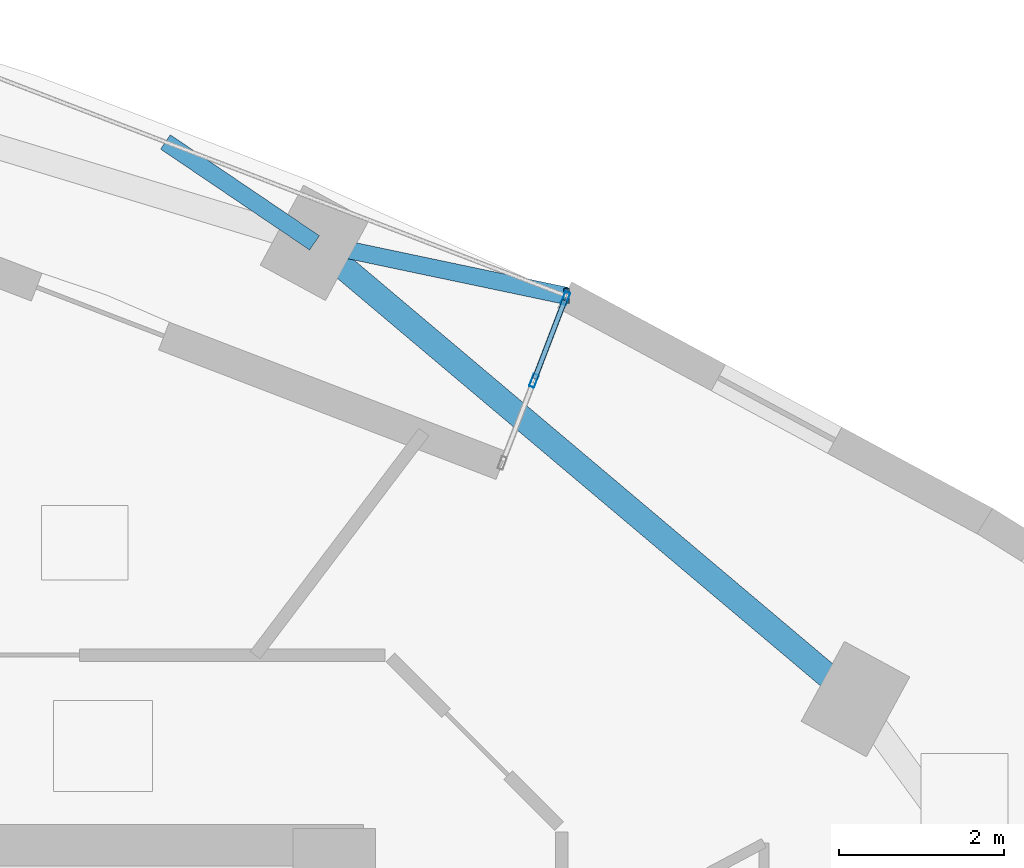
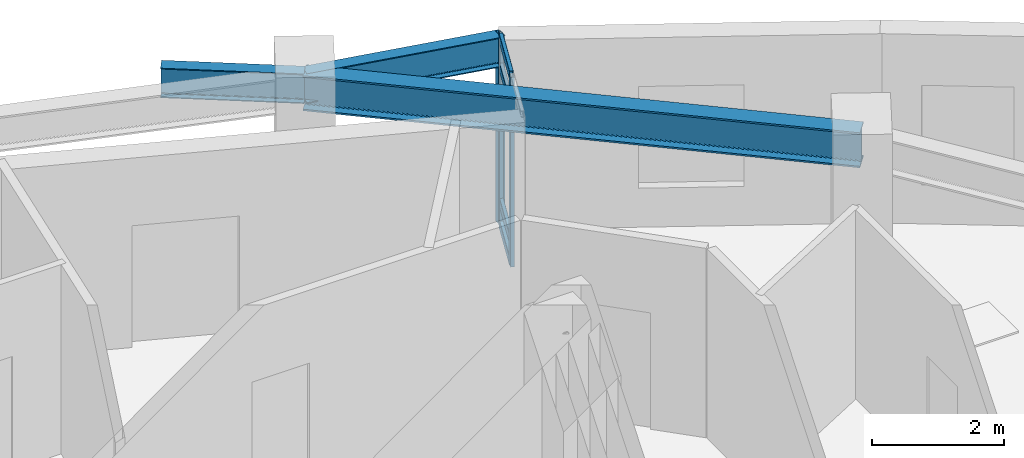
# One storey, part 3 of 12: 7 members, 3 beams, 1 element without a shape of its own.
"""IFC4 building model written with IfcOpenShell, lengths in metres."""

from ifc_helpers import new_model, si_unit, direction, frame, origin, origin_2d, place, context, subcontext, project, spatial, hollow_rectangle, i_section, extrude, material, layer, layer_set, material_profile, profile_set, type_object, element, aggregate, save


model = new_model("IFC4")

# Units and contexts
model_context = context("Model", 3, precision=1e-05, world=origin(), true_north=direction((0.0, 1.0)))
body_context = subcontext(model_context, "Body", "Model", "MODEL_VIEW")
ifc_project = project(units=[si_unit("LENGTHUNIT", "METRE"), si_unit("AREAUNIT", "SQUARE_METRE"), si_unit("VOLUMEUNIT", "CUBIC_METRE"), si_unit("PLANEANGLEUNIT", "RADIAN"), si_unit("MASSUNIT", "GRAM", prefix="KILO")], contexts=[model_context])

# Site, building, storey
site_placement = place(None, origin())
site = spatial("IfcSite", under=ifc_project, at=site_placement, CompositionType="ELEMENT")
building_placement = place(site_placement, origin())
building = spatial("IfcBuilding", under=site, at=building_placement, Name="Ndelora Gate Hotel", CompositionType="ELEMENT")
storey_placement = place(building_placement, frame((0.0, 0.0, 161.0)))
storey = spatial("IfcBuildingStorey", under=building, at=storey_placement, Name="L40", CompositionType="ELEMENT", Elevation=161.0)

# Beams
ifc_material_1 = material(Name="Steel S355", Category="steel")
ifc_material_profile_1 = material_profile(ifc_material_1, i_section(OverallWidth=0.2099609375, OverallDepth=0.550048828125, WebThickness=0.010986328125, FlangeThickness=0.01708984375, FilletRadius=0.02392578125, at=origin_2d()), Name="IPE 550")
ifc_profile_set_1 = profile_set([ifc_material_profile_1], Name="Steel S355")
beam_type_1 = type_object("IfcBeamType", Name="BM-RAD-550", PredefinedType="BEAM", material=ifc_profile_set_1)
beam_1_placement = place(storey_placement, frame((7.759033203125, 14.290283203125, 3.22509765625), z_axis=(0.978567234145, -0.20592758013, 0.0), x_axis=(0.20592758013, 0.978567234145, 0.0)))
element("IfcBeam", 1, at=beam_1_placement, inside=storey, type_object=beam_type_1, Name="L40 Sky-Garden Loggia Column Bracket 1", PredefinedType="BEAM", context=body_context, shape_type="SweptSolid", body=[
    extrude(i_section(OverallWidth=0.2099609375, OverallDepth=0.550048828125, WebThickness=0.010986328125, FlangeThickness=0.01708984375, FilletRadius=0.02392578125, at=origin_2d()), origin(), (0.0, 0.0, 1.0), 3.116943359375),
])
beam_2_placement = place(storey_placement, frame((7.759033203125, 14.290283203125, 3.22509765625), z_axis=(-0.828064662008, 0.560632602988, 0.0), x_axis=(-0.560632602988, -0.828064662008, 0.0)))
element("IfcBeam", 2, at=beam_2_placement, inside=storey, type_object=beam_type_1, Name="L40 Sky-Garden Loggia Column Bracket 2", PredefinedType="BEAM", context=body_context, shape_type="SweptSolid", body=[
    extrude(i_section(OverallWidth=0.2099609375, OverallDepth=0.550048828125, WebThickness=0.010986328125, FlangeThickness=0.01708984375, FilletRadius=0.02392578125, at=origin_2d()), origin(), (0.0, 0.0, 1.0), 2.17919921875),
])
ifc_material_profile_2 = material_profile(ifc_material_1, i_section(OverallWidth=0.300048828125, OverallDepth=0.64990234375, WebThickness=0.01611328125, FlangeThickness=0.031005859375, FilletRadius=0.027099609375, at=origin_2d()), Name="HEB 650")
ifc_profile_set_2 = profile_set([ifc_material_profile_2], Name="Steel S355")
beam_type_2 = type_object("IfcBeamType", Name="BM-RING-650", PredefinedType="SPANDREL", material=ifc_profile_set_2)
beam_3_placement = place(storey_placement, frame((14.30712890625, 8.767333984375, 3.175048828125), z_axis=(-0.76440691948, 0.644734101356, 0.0), x_axis=(-0.644734101356, -0.76440691948, 0.0)))
element("IfcBeam", 3, at=beam_3_placement, inside=storey, type_object=beam_type_2, Name="L40 Perimeter Spandrel Girder 10", PredefinedType="SPANDREL", context=body_context, shape_type="SweptSolid", body=[
    extrude(i_section(OverallWidth=0.300048828125, OverallDepth=0.64990234375, WebThickness=0.01611328125, FlangeThickness=0.031005859375, FilletRadius=0.027099609375, at=origin_2d()), origin(), (0.0, 0.0, 1.0), 8.566162109375),
])

# Curtain wall, members
ifc_material_2 = material(Name="Bronze Anodised Unitised Aluminium and Low-E Glass", Category="aluminium")
ifc_layer = layer(ifc_material_2, 0.199951171875)
ifc_layer_set = layer_set([ifc_layer], Name="Bronze Anodised Unitised Aluminium and Low-E Glass")
curtain_wall_type = type_object("IfcCurtainWallType", Name="CW-SYS-3", PredefinedType="NOTDEFINED", material=ifc_layer_set)
curtain_wall_placement = place(storey_placement, origin())
curtain_wall = element("IfcCurtainWall", 4, at=curtain_wall_placement, inside=storey, type_object=curtain_wall_type, Name="L40 Sky-Garden Loggia Side Curtain Wall CW3-1", PredefinedType="NOTDEFINED")
ifc_material_3 = material(Name="Bronze Anodised Aluminium 6063-T6", Category="aluminium")
ifc_material_profile_3 = material_profile(ifc_material_3, hollow_rectangle(XDim=0.06494140625, YDim=0.159912109375, WallThickness=0.00390625, InnerFilletRadius=0.00390625, OuterFilletRadius=0.008056640625, at=origin_2d()), Name="ALU 160x65x4")
ifc_profile_set_3 = profile_set([ifc_material_profile_3], Name="Bronze Anodised Aluminium 6063-T6")
member_type_1 = type_object("IfcMemberType", Name="MB-CW-MUL150", PredefinedType="MULLION", material=ifc_profile_set_3)
member_1_placement = place(storey_placement, frame((10.414794921875, 12.62158203125, -0.00390625), z_axis=(0.0, 0.0, 1.0), x_axis=(-0.93358321574, 0.358360683234, 0.0)))
member_1 = element("IfcMember", 5, at=member_1_placement, type_object=member_type_1, Name="CW3 mullion 2", PredefinedType="MULLION", context=body_context, shape_type="SweptSolid", body=[
    extrude(hollow_rectangle(XDim=0.06494140625, YDim=0.159912109375, WallThickness=0.00390625, InnerFilletRadius=0.00390625, OuterFilletRadius=0.008056640625, at=origin_2d()), origin(), (0.0, 0.0, 1.0), 3.5078125),
])
member_2_placement = place(storey_placement, frame((10.79736328125, 13.6181640625, -0.00390625), z_axis=(0.0, 0.0, 1.0), x_axis=(-0.93358321574, 0.358360683234, 0.0)))
member_2 = element("IfcMember", 6, at=member_2_placement, type_object=member_type_1, Name="CW3 mullion 3", PredefinedType="MULLION", context=body_context, shape_type="SweptSolid", body=[
    extrude(hollow_rectangle(XDim=0.06494140625, YDim=0.159912109375, WallThickness=0.00390625, InnerFilletRadius=0.00390625, OuterFilletRadius=0.008056640625, at=origin_2d()), origin(), (0.0, 0.0, 1.0), 3.5078125),
])
ifc_material_profile_4 = material_profile(ifc_material_3, hollow_rectangle(XDim=0.070068359375, YDim=0.179931640625, WallThickness=0.0048828125, InnerFilletRadius=0.0048828125, OuterFilletRadius=0.010009765625, at=origin_2d()), Name="ALU 180x70x5")
ifc_profile_set_4 = profile_set([ifc_material_profile_4], Name="Bronze Anodised Aluminium 6063-T6")
member_type_2 = type_object("IfcMemberType", Name="MB-CW-MUL180", PredefinedType="MULLION", material=ifc_profile_set_4)
member_3_placement = place(storey_placement, frame((10.80908203125, 13.6484375, 0.0), z_axis=(0.0, 0.0, 1.0), x_axis=(1.0, 0.0, 0.0)))
member_3 = element("IfcMember", 7, at=member_3_placement, type_object=member_type_2, Name="L40 Sky-Garden Loggia Corner Mullion Post 1", PredefinedType="MULLION", context=body_context, shape_type="SweptSolid", body=[
    extrude(hollow_rectangle(XDim=0.070068359375, YDim=0.179931640625, WallThickness=0.0048828125, InnerFilletRadius=0.0048828125, OuterFilletRadius=0.010009765625, at=origin_2d()), origin(), (0.0, 0.0, 1.0), 3.5),
])
ifc_material_profile_5 = material_profile(ifc_material_3, hollow_rectangle(XDim=0.06494140625, YDim=0.159912109375, WallThickness=0.00390625, InnerFilletRadius=0.00390625, OuterFilletRadius=0.008056640625, at=origin_2d()), Name="ALU 160x65x4")
ifc_profile_set_5 = profile_set([ifc_material_profile_5], Name="Bronze Anodised Aluminium 6063-T6")
member_type_3 = type_object("IfcMemberType", Name="MB-CW-TRN150", PredefinedType="USERDEFINED", material=ifc_profile_set_5)
member_4_placement = place(storey_placement, frame((10.42431640625, 12.646240234375, 0.032470703125), z_axis=(0.358285642609, 0.933612017007, 0.0), x_axis=(-0.933612017007, 0.358285642609, 0.0)))
member_4 = element("IfcMember", 8, at=member_4_placement, type_object=member_type_3, Name="CW3 transom 2.1", ObjectType="TRANSOM", PredefinedType="USERDEFINED", context=body_context, shape_type="SweptSolid", body=[
    extrude(hollow_rectangle(XDim=0.06494140625, YDim=0.159912109375, WallThickness=0.00390625, InnerFilletRadius=0.00390625, OuterFilletRadius=0.008056640625, at=origin_2d()), origin(), (0.0, 0.0, 1.0), 1.0146484375),
])
member_5_placement = place(storey_placement, frame((10.42431640625, 12.646240234375, 0.449951171875), z_axis=(0.358285642609, 0.933612017007, 0.0), x_axis=(-0.933612017007, 0.358285642609, 0.0)))
member_5 = element("IfcMember", 9, at=member_5_placement, type_object=member_type_3, Name="CW3 transom 2.2", ObjectType="TRANSOM", PredefinedType="USERDEFINED", context=body_context, shape_type="SweptSolid", body=[
    extrude(hollow_rectangle(XDim=0.06494140625, YDim=0.159912109375, WallThickness=0.00390625, InnerFilletRadius=0.00390625, OuterFilletRadius=0.008056640625, at=origin_2d()), origin(), (0.0, 0.0, 1.0), 1.0146484375),
])
member_6_placement = place(storey_placement, frame((10.42431640625, 12.646240234375, 2.949951171875), z_axis=(0.358285642609, 0.933612017007, 0.0), x_axis=(-0.933612017007, 0.358285642609, 0.0)))
member_6 = element("IfcMember", 10, at=member_6_placement, type_object=member_type_3, Name="CW3 transom 2.3", ObjectType="TRANSOM", PredefinedType="USERDEFINED", context=body_context, shape_type="SweptSolid", body=[
    extrude(hollow_rectangle(XDim=0.06494140625, YDim=0.159912109375, WallThickness=0.00390625, InnerFilletRadius=0.00390625, OuterFilletRadius=0.008056640625, at=origin_2d()), origin(), (0.0, 0.0, 1.0), 1.0146484375),
])
member_7_placement = place(storey_placement, frame((10.42431640625, 12.646240234375, 3.467529296875), z_axis=(0.358285642609, 0.933612017007, 0.0), x_axis=(-0.933612017007, 0.358285642609, 0.0)))
member_7 = element("IfcMember", 11, at=member_7_placement, type_object=member_type_3, Name="CW3 transom 2.4", ObjectType="TRANSOM", PredefinedType="USERDEFINED", context=body_context, shape_type="SweptSolid", body=[
    extrude(hollow_rectangle(XDim=0.06494140625, YDim=0.159912109375, WallThickness=0.00390625, InnerFilletRadius=0.00390625, OuterFilletRadius=0.008056640625, at=origin_2d()), origin(), (0.0, 0.0, 1.0), 1.0146484375),
])
aggregate(curtain_wall, [member_1, member_2, member_4, member_5, member_6, member_7, member_3])

save(model, "model.ifc")
